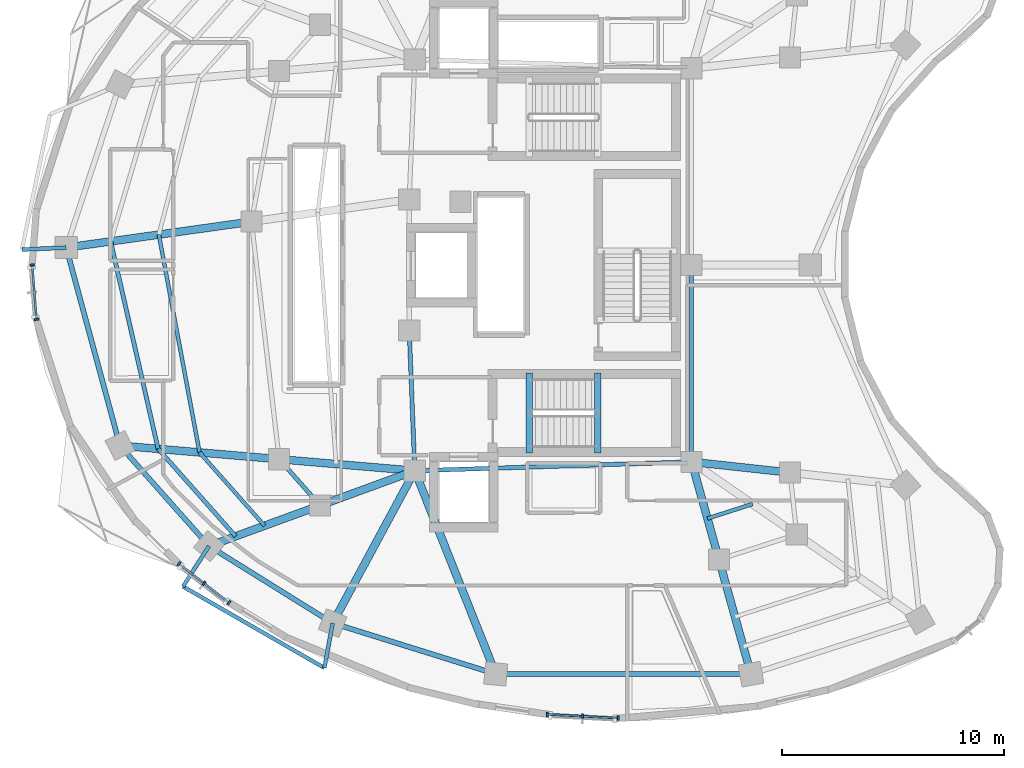
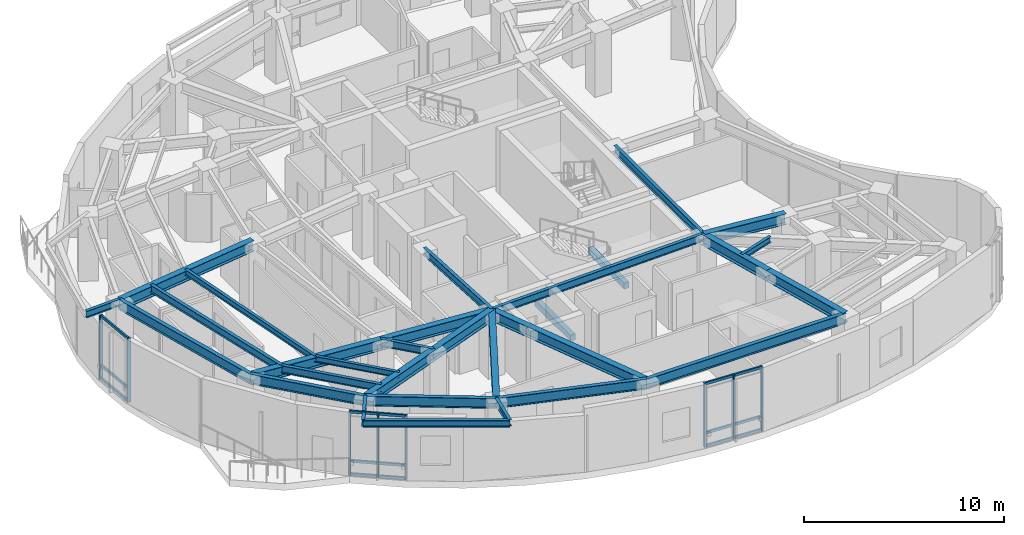
# One storey, part 2 of 13: 30 beams, 23 members, 3 elements without a shape of their own.
"""IFC4 building model written with IfcOpenShell, lengths in metres."""

import ifcopenshell
import ifcopenshell.guid

model = None  # the IFC model being written
_history = None  # IfcOwnerHistory: only IFC2X3 demands one
_inside = {}  # id of a spatial element -> (the spatial element, [elements in it])
_under = {}  # id of a project, library or spatial element -> (it, [spatial elements below it])
_declared = {}  # id of a project -> (the project, [libraries it declares])
_typed = {}  # id of a type object -> (the type object, [elements of that type])
_made_of = {}  # id of a material, layer set ... -> (it, [elements and type objects made of it])


def new_model(schema):
    """Start an empty IFC model of exactly this schema.

    Asked for "IFC4X3", IfcOpenShell would pick the latest addendum, in which some entities
    have other attributes; the version numbers below select the first issue.
    IFC2X3 requires an IfcOwnerHistory on every rooted entity: one is made here for all.
    """
    global model, _history
    if schema == "IFC4X3":
        model = ifcopenshell.file(schema_version=(4, 3, 0, 0))
    else:
        model = ifcopenshell.file(schema=schema)
    _inside.clear()
    _under.clear()
    _declared.clear()
    _typed.clear()
    _made_of.clear()
    _history = None
    if model.schema == "IFC2X3":
        org = make("IfcOrganization", Name="unknown")
        user = make(
            "IfcPersonAndOrganization",
            ThePerson=make("IfcPerson", FamilyName="unknown"),
            TheOrganization=org,
        )
        app = make(
            "IfcApplication",
            ApplicationDeveloper=org,
            Version="unknown",
            ApplicationFullName="unknown",
            ApplicationIdentifier="unknown",
        )
        _history = make(
            "IfcOwnerHistory",
            OwningUser=user,
            OwningApplication=app,
            ChangeAction="ADDED",
            CreationDate=0,
        )
    return model


def make(cls, **values):
    """One entity of the class cls with the attributes given. An attribute that is None is left unset."""
    return model.create_entity(
        cls, **{name: value for name, value in values.items() if value is not None}
    )


def rooted(cls, **values):
    """An entity with a GlobalId (a new one), such as an element, a storey or a relation."""
    return make(cls, GlobalId=ifcopenshell.guid.new(), OwnerHistory=_history, **values)


def si_unit(unit_type, name, prefix=None):
    """IfcSIUnit, for example si_unit("LENGTHUNIT", "METRE", prefix="MILLI")."""
    return make("IfcSIUnit", UnitType=unit_type, Prefix=prefix, Name=name)


def assignment(units):
    """IfcUnitAssignment: the units of a project."""
    return None if units is None else make("IfcUnitAssignment", Units=units)


def point(xyz):
    """IfcCartesianPoint."""
    return None if xyz is None else make("IfcCartesianPoint", Coordinates=xyz)


def direction(xyz):
    """IfcDirection."""
    return None if xyz is None else make("IfcDirection", DirectionRatios=xyz)


def frame(location, z_axis=None, x_axis=None):
    """IfcAxis2Placement3D, a coordinate frame: its origin and axes. An axis left out is left unset."""
    return make(
        "IfcAxis2Placement3D",
        Location=point(location),
        Axis=direction(z_axis),
        RefDirection=direction(x_axis),
    )


def frame_2d(location, x_axis=None):
    """IfcAxis2Placement2D, a coordinate frame in the plane: its origin and x axis."""
    return make(
        "IfcAxis2Placement2D", Location=point(location), RefDirection=direction(x_axis)
    )


def origin():
    """The frame at (0, 0, 0) with its axes left unset."""
    return frame((0.0, 0.0, 0.0))


def origin_2d():
    """The frame at (0, 0) in the plane with its x axis left unset."""
    return frame_2d((0.0, 0.0))


def place(relative_to, where):
    """IfcLocalPlacement: puts the frame where relative to a parent placement (None: the world)."""
    return make(
        "IfcLocalPlacement", PlacementRelTo=relative_to, RelativePlacement=where
    )


def context(
    kind, dimensions, precision=None, world=None, true_north=None, identifier=None
):
    """IfcGeometricRepresentationContext, for example the 3D "Model" context."""
    return make(
        "IfcGeometricRepresentationContext",
        ContextIdentifier=identifier,
        ContextType=kind,
        CoordinateSpaceDimension=dimensions,
        Precision=precision,
        WorldCoordinateSystem=world,
        TrueNorth=true_north,
    )


def subcontext(parent, identifier, kind, view, scale=None):
    """IfcGeometricRepresentationSubContext, for example "Body" below "Model"."""
    return make(
        "IfcGeometricRepresentationSubContext",
        ContextIdentifier=identifier,
        ContextType=kind,
        ParentContext=parent,
        TargetScale=scale,
        TargetView=view,
    )


def project(units=None, contexts=None):
    """IfcProject with its units and contexts."""
    return rooted(
        "IfcProject",
        Name="project",
        RepresentationContexts=contexts,
        UnitsInContext=assignment(units),
    )


def spatial(cls, under=None, at=None, **own):
    """A site, building, storey or space (cls), placed at a placement, below another one or the project."""
    s = rooted(cls, ObjectPlacement=at, **own)
    if under is not None:
        _under.setdefault(under.id(), (under, []))[1].append(s)
    return s


def profile(cls, at=None, kind="AREA", **sizes):
    """A parametric profile (cls). Its sizes go by their IFC names, for example OverallWidth=200.0."""
    return make(cls, ProfileType=kind, Position=at, **sizes)


def rectangle(**sizes):
    """IfcRectangleProfileDef."""
    return profile("IfcRectangleProfileDef", **sizes)


def i_section(**sizes):
    """IfcIShapeProfileDef."""
    return profile("IfcIShapeProfileDef", **sizes)


def extrude(swept, where, along, depth):
    """IfcExtrudedAreaSolid: the profile swept, set in the frame where, extruded along a direction by depth."""
    return make(
        "IfcExtrudedAreaSolid",
        SweptArea=swept,
        Position=where,
        ExtrudedDirection=direction(along),
        Depth=depth,
    )


def shape(context_of_items, identifier, shape_type, items):
    """IfcShapeRepresentation: the items that make up one representation, for example the "Body"."""
    return make(
        "IfcShapeRepresentation",
        ContextOfItems=context_of_items,
        RepresentationIdentifier=identifier,
        RepresentationType=shape_type,
        Items=items,
    )


def material(Name=None, Category=None):
    """IfcMaterial."""
    return make("IfcMaterial", Name=Name, Category=Category)


def layer(
    of_material, thickness, ventilated=None, Name=None, Category=None, Priority=None
):
    """IfcMaterialLayer: one layer of a wall or slab, of a material (None: an air gap)."""
    return make(
        "IfcMaterialLayer",
        Material=of_material,
        LayerThickness=thickness,
        IsVentilated=ventilated,
        Name=Name,
        Category=Category,
        Priority=Priority,
    )


def layer_set(layers, Name=None):
    """IfcMaterialLayerSet."""
    return make("IfcMaterialLayerSet", MaterialLayers=layers, LayerSetName=Name)


def material_profile(
    of_material, cross_section, Name=None, Category=None, Priority=None
):
    """IfcMaterialProfile: a cross section and its material."""
    return make(
        "IfcMaterialProfile",
        Name=Name,
        Material=of_material,
        Profile=cross_section,
        Priority=Priority,
        Category=Category,
    )


def profile_set(profiles, Name=None, composite=None):
    """IfcMaterialProfileSet."""
    return make(
        "IfcMaterialProfileSet",
        Name=Name,
        MaterialProfiles=profiles,
        CompositeProfile=composite,
    )


def made_of(thing, what):
    """Note that an element or type object is made of a material, layer set ...; save() writes the relation."""
    if what is not None:
        _made_of.setdefault(what.id(), (what, []))[1].append(thing)
    return thing


def type_object(cls, material=None, **own):
    """A type object (cls), such as IfcWallType, which elements share."""
    return made_of(rooted(cls, **own), material)


def element(
    cls,
    number,
    at=None,
    inside=None,
    cuts=None,
    type_object=None,
    material=None,
    context=None,
    identifier="Body",
    shape_type=None,
    held_by="IfcProductDefinitionShape",
    body=None,
    shapes=None,
    **own,
):
    """One element of the class cls, such as IfcWall. Its Tag is "e" and its number.

    at: its placement. inside: the storey or other place that contains it. cuts: it is an
    opening in that element (IfcRelVoidsElement). A single representation is given by context,
    identifier, shape_type and body (its items); several are given by shapes. held_by: the class
    of the entity that holds the representations. save() writes the other relations.
    """
    e = rooted(cls, Tag="e%d" % number, ObjectPlacement=at, **own)
    if body is not None:
        shapes = [shape(context, identifier, shape_type, body)]
    if shapes is not None:
        e.Representation = make(held_by, Representations=shapes)
    if inside is not None:
        _inside.setdefault(inside.id(), (inside, []))[1].append(e)
    if cuts is not None:
        rooted(
            "IfcRelVoidsElement", RelatingBuildingElement=cuts, RelatedOpeningElement=e
        )
    if type_object is not None:
        _typed.setdefault(type_object.id(), (type_object, []))[1].append(e)
    return made_of(e, material)


def aggregate(whole, parts):
    """IfcRelAggregates: a whole, such as a stair, and the parts it consists of."""
    return rooted("IfcRelAggregates", RelatingObject=whole, RelatedObjects=parts)


def save(model, path):
    """Write the relations noted so far, then the file.

    IfcRelAggregates (storeys below a building ...), IfcRelContainedInSpatialStructure (elements
    in a storey), IfcRelDefinesByType, IfcRelAssociatesMaterial and IfcRelDeclares: one each for
    every whole, place, type object, material and project.
    """
    for whole, parts in _under.values():
        aggregate(whole, parts)
    for where, things in _inside.values():
        rooted(
            "IfcRelContainedInSpatialStructure",
            RelatedElements=things,
            RelatingStructure=where,
        )
    for kind, things in _typed.values():
        rooted("IfcRelDefinesByType", RelatedObjects=things, RelatingType=kind)
    for what, things in _made_of.values():
        rooted("IfcRelAssociatesMaterial", RelatedObjects=things, RelatingMaterial=what)
    for by, libraries in _declared.values():
        rooted("IfcRelDeclares", RelatingContext=by, RelatedDefinitions=libraries)
    model.write(path)


model = new_model("IFC4")

# Units and contexts
model_context = context("Model", 3, precision=1e-05, world=origin(), true_north=direction((0.0, 1.0)))
body_context = subcontext(model_context, "Body", "Model", "MODEL_VIEW")
ifc_project = project(units=[si_unit("LENGTHUNIT", "METRE"), si_unit("AREAUNIT", "SQUARE_METRE"), si_unit("VOLUMEUNIT", "CUBIC_METRE"), si_unit("PLANEANGLEUNIT", "RADIAN"), si_unit("MASSUNIT", "GRAM", prefix="KILO")], contexts=[model_context])

# Site, building, storey
site_placement = place(None, origin())
site = spatial("IfcSite", under=ifc_project, at=site_placement, CompositionType="ELEMENT")
building_placement = place(site_placement, origin())
building = spatial("IfcBuilding", under=site, at=building_placement, Name="Korentha Bioscience Tower", CompositionType="ELEMENT")
storey_placement = place(building_placement, frame((0.0, 0.0, 166.800048828125)))
storey = spatial("IfcBuildingStorey", under=building, at=storey_placement, Name="L38", CompositionType="ELEMENT", Elevation=166.800048828125)

# Beams
ifc_material_1 = material(Name="Concrete C50", Category="concrete")
ifc_material_profile_1 = material_profile(ifc_material_1, rectangle(XDim=0.280029296875, YDim=0.3798828125, at=origin_2d()), Name="Concrete C50")
ifc_profile_set_1 = profile_set([ifc_material_profile_1], Name="Concrete C50 (ST-HB380)")
beam_type_1 = type_object("IfcBeamType", Name="Concrete Stair Header Beam RC 280x380", PredefinedType="BEAM", material=ifc_profile_set_1)
for number, where, z_axis, x_axis, name in (
    (1, (30.25, 18.550048828125, -0.18994140625), (0.0, 1.0, 0.0), (-1.0, 0.0, 0.0), "L38 ST-2 Concrete Stair Header Beam"),
    (2, (33.330078125, 18.550048828125, 1.909912109375), (0.0, 1.0, 0.0), (-1.0, 0.0, 0.0), "L38 ST-2 Half-Landing Header Beam 1"),
):
    element("IfcBeam", number, at=place(storey_placement, frame(where, z_axis=z_axis, x_axis=x_axis)), inside=storey, type_object=beam_type_1, Name=name, PredefinedType="BEAM", context=body_context, shape_type="SweptSolid", body=[
        extrude(rectangle(XDim=0.280029296875, YDim=0.3798828125, at=origin_2d()), origin(), (0.0, 0.0, 1.0), 3.599853515625),
    ])
ifc_material_2 = material(Name="Steel S355", Category="steel")
ifc_material_profile_2 = material_profile(ifc_material_2, i_section(OverallWidth=0.18994140625, OverallDepth=0.45703125, WebThickness=0.009033203125, FlangeThickness=0.014404296875, at=origin_2d()), Name="Steel S355")
ifc_profile_set_2 = profile_set([ifc_material_profile_2], Name="Steel S355 (MB-460)")
beam_type_2 = type_object("IfcBeamType", Name="Mid-Ring Tie Girder W460x74", PredefinedType="BEAM", material=ifc_profile_set_2)
beam_1_placement = place(storey_placement, frame((18.99951171875, 18.27001953125, 3.67138671875), z_axis=(0.663512238321, -0.748165429299, 0.0), x_axis=(0.748165429299, 0.663512238321, 0.0)))
element("IfcBeam", 3, at=beam_1_placement, inside=storey, type_object=beam_type_2, Name="L38 Mid-Ring Tie Girder 08", PredefinedType="BEAM", context=body_context, shape_type="SweptSolid", body=[
    extrude(i_section(OverallWidth=0.18994140625, OverallDepth=0.45703125, WebThickness=0.009033203125, FlangeThickness=0.014404296875, at=origin_2d()), origin(), (0.0, 0.0, 1.0), 2.77734375),
])
beam_2_placement = place(storey_placement, frame((24.85009765625, 24.050048828125, 3.67138671875), z_axis=(0.039651025576, -0.999213588864, 0.0), x_axis=(0.999213588864, 0.039651025576, 0.0)))
element("IfcBeam", 4, at=beam_2_placement, inside=storey, type_object=beam_type_2, Name="L38 Core Ring Tie Girder 04", PredefinedType="BEAM", context=body_context, shape_type="SweptSolid", body=[
    extrude(i_section(OverallWidth=0.18994140625, OverallDepth=0.45703125, WebThickness=0.009033203125, FlangeThickness=0.014404296875, at=origin_2d()), origin(), (0.0, 0.0, 1.0), 6.304931640625),
])
beam_3_placement = place(storey_placement, frame((25.10009765625, 17.75, 3.67138671875), z_axis=(0.999484526071, 0.032104238723, 0.0), x_axis=(-0.032104238723, 0.999484526071, 0.0)))
element("IfcBeam", 5, at=beam_3_placement, inside=storey, type_object=beam_type_2, Name="L38 Core Ring Tie Girder 05", PredefinedType="BEAM", context=body_context, shape_type="SweptSolid", body=[
    extrude(i_section(OverallWidth=0.18994140625, OverallDepth=0.45703125, WebThickness=0.009033203125, FlangeThickness=0.014404296875, at=origin_2d()), origin(), (0.0, 0.0, 1.0), 12.456298828125),
])
beam_4_placement = place(storey_placement, frame((37.550048828125, 18.14990234375, 3.67138671875), z_axis=(0.0, 1.0, 0.0), x_axis=(-1.0, 0.0, 0.0)))
element("IfcBeam", 6, at=beam_4_placement, inside=storey, type_object=beam_type_2, Name="L38 Core Ring Tie Girder 06", PredefinedType="BEAM", context=body_context, shape_type="SweptSolid", body=[
    extrude(i_section(OverallWidth=0.18994140625, OverallDepth=0.45703125, WebThickness=0.009033203125, FlangeThickness=0.014404296875, at=origin_2d()), origin(), (0.0, 0.0, 1.0), 8.85009765625),
])

# Curtain wall, members
ifc_material_3 = material(Name="Thermally Broken Aluminium Frame", Category="aluminium")
ifc_layer = layer(ifc_material_3, 0.219970703125, Name="Thermally Broken Aluminium Frame")
ifc_layer_set = layer_set([ifc_layer], Name="Thermally Broken Aluminium Frame (CW-T2)")
curtain_wall_type = type_object("IfcCurtainWallType", Name="Solar-Screened Lab Unitised Curtain Wall CW-T2", PredefinedType="USERDEFINED", material=ifc_layer_set)
curtain_wall_1_placement = place(storey_placement, origin())
curtain_wall_1 = element("IfcCurtainWall", 7, at=curtain_wall_1_placement, inside=storey, type_object=curtain_wall_type, Name="L38 Curtain Wall 19", ObjectType="UNITISED", PredefinedType="USERDEFINED")
ifc_material_4 = material(Name="Anodised Aluminium 6063-T6", Category="aluminium")
ifc_material_profile_3 = material_profile(ifc_material_4, rectangle(XDim=0.090087890625, YDim=0.199951171875, at=origin_2d()), Name="Anodised Aluminium 6063-T6")
ifc_profile_set_3 = profile_set([ifc_material_profile_3], Name="Anodised Aluminium 6063-T6 (CW-MUL)")
member_type_1 = type_object("IfcMemberType", Name="Mullion RECT 90x200", PredefinedType="MULLION", material=ifc_profile_set_3)
member_1_placement = place(storey_placement, frame((7.89599609375, 27.007568359375, 0.0), z_axis=(0.0, 0.0, 1.0), x_axis=(0.078030772566, -0.996950950916, 0.0)))
member_1 = element("IfcMember", 8, at=member_1_placement, type_object=member_type_1, Name="CW-L38-19 Mullion 1", PredefinedType="MULLION", context=body_context, shape_type="SweptSolid", body=[
    extrude(rectangle(XDim=0.090087890625, YDim=0.199951171875, at=origin_2d()), origin(), (0.0, 0.0, 1.0), 3.89990234375),
])
member_2_placement = place(storey_placement, frame((8.087890625, 24.5546875, 0.0), z_axis=(0.0, 0.0, 1.0), x_axis=(0.078030772566, -0.996950950916, 0.0)))
member_2 = element("IfcMember", 9, at=member_2_placement, type_object=member_type_1, Name="CW-L38-19 Mullion 2", PredefinedType="MULLION", context=body_context, shape_type="SweptSolid", body=[
    extrude(rectangle(XDim=0.090087890625, YDim=0.199951171875, at=origin_2d()), origin(), (0.0, 0.0, 1.0), 3.89990234375),
])

curtain_wall_2_placement = place(storey_placement, origin())
curtain_wall_2 = element("IfcCurtainWall", 10, at=curtain_wall_2_placement, inside=storey, type_object=curtain_wall_type, Name="L38 Curtain Wall 25", ObjectType="UNITISED", PredefinedType="USERDEFINED")
member_3_placement = place(storey_placement, frame((14.492431640625, 13.563232421875, 0.0), z_axis=(0.0, 0.0, 1.0), x_axis=(0.790546796919, -0.612401634454, 0.0)))
member_3 = element("IfcMember", 11, at=member_3_placement, type_object=member_type_1, Name="CW-L38-25 Mullion 1", PredefinedType="MULLION", context=body_context, shape_type="SweptSolid", body=[
    extrude(rectangle(XDim=0.090087890625, YDim=0.199951171875, at=origin_2d()), origin(), (0.0, 0.0, 1.0), 3.89990234375),
])
member_4_placement = place(storey_placement, frame((15.618896484375, 12.690673828125, 0.0), z_axis=(0.0, 0.0, 1.0), x_axis=(0.790546796919, -0.612401634454, 0.0)))
member_4 = element("IfcMember", 12, at=member_4_placement, type_object=member_type_1, Name="CW-L38-25 Mullion 2", PredefinedType="MULLION", context=body_context, shape_type="SweptSolid", body=[
    extrude(rectangle(XDim=0.090087890625, YDim=0.199951171875, at=origin_2d()), origin(), (0.0, 0.0, 1.0), 3.89990234375),
])
member_5_placement = place(storey_placement, frame((16.745361328125, 11.818115234375, 0.0), z_axis=(0.0, 0.0, 1.0), x_axis=(0.790546796919, -0.612401634454, 0.0)))
member_5 = element("IfcMember", 13, at=member_5_placement, type_object=member_type_1, Name="CW-L38-25 Mullion 3", PredefinedType="MULLION", context=body_context, shape_type="SweptSolid", body=[
    extrude(rectangle(XDim=0.090087890625, YDim=0.199951171875, at=origin_2d()), origin(), (0.0, 0.0, 1.0), 3.89990234375),
])

curtain_wall_3_placement = place(storey_placement, origin())
curtain_wall_3 = element("IfcCurtainWall", 14, at=curtain_wall_3_placement, inside=storey, type_object=curtain_wall_type, Name="L38 Curtain Wall 31", ObjectType="UNITISED", PredefinedType="USERDEFINED")
member_6_placement = place(storey_placement, frame((31.0517578125, 6.79541015625, 0.0), z_axis=(0.0, 0.0, 1.0), x_axis=(0.998637677307, -0.052180355139, 0.0)))
member_6 = element("IfcMember", 15, at=member_6_placement, type_object=member_type_1, Name="CW-L38-31 Mullion 1", PredefinedType="MULLION", context=body_context, shape_type="SweptSolid", body=[
    extrude(rectangle(XDim=0.090087890625, YDim=0.199951171875, at=origin_2d()), origin(), (0.0, 0.0, 1.0), 3.89990234375),
])
member_7_placement = place(storey_placement, frame((32.64794921875, 6.7119140625, 0.0), z_axis=(0.0, 0.0, 1.0), x_axis=(0.998637677307, -0.052180355139, 0.0)))
member_7 = element("IfcMember", 16, at=member_7_placement, type_object=member_type_1, Name="CW-L38-31 Mullion 2", PredefinedType="MULLION", context=body_context, shape_type="SweptSolid", body=[
    extrude(rectangle(XDim=0.090087890625, YDim=0.199951171875, at=origin_2d()), origin(), (0.0, 0.0, 1.0), 3.89990234375),
])
member_8_placement = place(storey_placement, frame((34.244140625, 6.628662109375, 0.0), z_axis=(0.0, 0.0, 1.0), x_axis=(0.998637677307, -0.052180355139, 0.0)))
member_8 = element("IfcMember", 17, at=member_8_placement, type_object=member_type_1, Name="CW-L38-31 Mullion 3", PredefinedType="MULLION", context=body_context, shape_type="SweptSolid", body=[
    extrude(rectangle(XDim=0.090087890625, YDim=0.199951171875, at=origin_2d()), origin(), (0.0, 0.0, 1.0), 3.89990234375),
])

# Beams
ifc_material_profile_4 = material_profile(ifc_material_2, i_section(OverallWidth=0.22802734375, OverallDepth=0.60791015625, WebThickness=0.01123046875, FlangeThickness=0.017333984375, at=origin_2d()), Name="Steel S355")
ifc_profile_set_4 = profile_set([ifc_material_profile_4], Name="Steel S355 (SB-610)")
beam_type_3 = type_object("IfcBeamType", Name="Perimeter Ring Spandrel Girder W610x113", PredefinedType="SPANDREL", material=ifc_profile_set_4)
beam_5_placement = place(storey_placement, frame((9.422607421875, 27.785888671875, 3.595947265625), z_axis=(0.261762629829, -0.965132284003, 0.0), x_axis=(0.965132284003, 0.261762629829, 0.0)))
element("IfcBeam", 18, at=beam_5_placement, inside=storey, type_object=beam_type_3, Name="L38 Perimeter Spandrel Girder 07", PredefinedType="SPANDREL", context=body_context, shape_type="SweptSolid", body=[
    extrude(i_section(OverallWidth=0.22802734375, OverallDepth=0.60791015625, WebThickness=0.01123046875, FlangeThickness=0.017333984375, at=origin_2d()), origin(), (0.0, 0.0, 1.0), 9.22705078125),
])
beam_6_placement = place(storey_placement, frame((11.837890625, 18.880615234375, 3.595947265625), z_axis=(0.663502544942, -0.748174025782, 0.0), x_axis=(0.748174025782, 0.663502544942, 0.0)))
element("IfcBeam", 19, at=beam_6_placement, inside=storey, type_object=beam_type_3, Name="L38 Perimeter Spandrel Girder 08", PredefinedType="SPANDREL", context=body_context, shape_type="SweptSolid", body=[
    extrude(i_section(OverallWidth=0.22802734375, OverallDepth=0.60791015625, WebThickness=0.01123046875, FlangeThickness=0.017333984375, at=origin_2d()), origin(), (0.0, 0.0, 1.0), 6.037841796875),
])
beam_7_placement = place(storey_placement, frame((15.843994140625, 14.36328125, 3.595947265625), z_axis=(0.848675740059, -0.528913497876, 0.0), x_axis=(0.528913497876, 0.848675740059, 0.0)))
element("IfcBeam", 20, at=beam_7_placement, inside=storey, type_object=beam_type_3, Name="L38 Perimeter Spandrel Girder 09", PredefinedType="SPANDREL", context=body_context, shape_type="SweptSolid", body=[
    extrude(i_section(OverallWidth=0.22802734375, OverallDepth=0.60791015625, WebThickness=0.01123046875, FlangeThickness=0.017333984375, at=origin_2d()), origin(), (0.0, 0.0, 1.0), 6.55322265625),
])
beam_8_placement = place(storey_placement, frame((21.405517578125, 10.897216796875, 3.595947265625), z_axis=(0.954638172607, -0.29776829818, 0.0), x_axis=(0.29776829818, 0.954638172607, 0.0)))
element("IfcBeam", 21, at=beam_8_placement, inside=storey, type_object=beam_type_3, Name="L38 Perimeter Spandrel Girder 10", PredefinedType="SPANDREL", context=body_context, shape_type="SweptSolid", body=[
    extrude(i_section(OverallWidth=0.22802734375, OverallDepth=0.60791015625, WebThickness=0.01123046875, FlangeThickness=0.017333984375, at=origin_2d()), origin(), (0.0, 0.0, 1.0), 7.682373046875),
])
beam_9_placement = place(storey_placement, frame((28.739501953125, 8.609619140625, 3.595947265625), z_axis=(0.99999988041, -0.000489059883, 0.0), x_axis=(0.000489059883, 0.99999988041, 0.0)))
element("IfcBeam", 22, at=beam_9_placement, inside=storey, type_object=beam_type_3, Name="L38 Perimeter Spandrel Girder 11", PredefinedType="SPANDREL", context=body_context, shape_type="SweptSolid", body=[
    extrude(i_section(OverallWidth=0.22802734375, OverallDepth=0.60791015625, WebThickness=0.01123046875, FlangeThickness=0.017333984375, at=origin_2d()), origin(), (0.0, 0.0, 1.0), 11.481689453125),
])
ifc_material_profile_5 = material_profile(ifc_material_2, i_section(OverallWidth=0.18994140625, OverallDepth=0.45703125, WebThickness=0.009033203125, FlangeThickness=0.014404296875, at=origin_2d()), Name="Steel S355")
ifc_profile_set_5 = profile_set([ifc_material_profile_5], Name="Steel S355 (RB-460)")
beam_type_4 = type_object("IfcBeamType", Name="Radial Laboratory Beam W460x74", PredefinedType="BEAM", material=ifc_profile_set_5)
beam_10_placement = place(storey_placement, frame((11.421875, 28.06640625, 3.67138671875), z_axis=(0.222990987745, -0.974820506239, 0.0), x_axis=(0.974820506239, 0.222990987745, 0.0)))
element("IfcBeam", 23, at=beam_10_placement, inside=storey, type_object=beam_type_4, Name="L38 Secondary Floor Beam JSTO-07", PredefinedType="BEAM", context=body_context, shape_type="SweptSolid", body=[
    extrude(i_section(OverallWidth=0.18994140625, OverallDepth=0.45703125, WebThickness=0.009033203125, FlangeThickness=0.014404296875, at=origin_2d()), origin(), (0.0, 0.0, 1.0), 9.5732421875),
])
beam_11_placement = place(storey_placement, frame((13.556640625, 18.734130859375, 3.67138671875), z_axis=(0.663495511182, -0.748180263467, 0.0), x_axis=(0.748180263467, 0.663495511182, 0.0)))
element("IfcBeam", 24, at=beam_11_placement, inside=storey, type_object=beam_type_4, Name="L38 Secondary Floor Beam JSTO-08", PredefinedType="BEAM", context=body_context, shape_type="SweptSolid", body=[
    extrude(i_section(OverallWidth=0.18994140625, OverallDepth=0.45703125, WebThickness=0.009033203125, FlangeThickness=0.014404296875, at=origin_2d()), origin(), (0.0, 0.0, 1.0), 5.255615234375),
])
ifc_material_profile_6 = material_profile(ifc_material_2, i_section(OverallWidth=0.35009765625, OverallDepth=0.64990234375, WebThickness=0.01611328125, FlangeThickness=0.02490234375, at=origin_2d()), Name="Steel S355")
ifc_profile_set_6 = profile_set([ifc_material_profile_6], Name="Steel S355 (RB-650)")
beam_type_5 = type_object("IfcBeamType", Name="Radial Laboratory Girder CVS 650x208", PredefinedType="BEAM", material=ifc_profile_set_6)
beam_12_placement = place(storey_placement, frame((17.75341796875, 28.95458984375, 3.574951171875), z_axis=(-0.990302735089, -0.138926213782, 0.0), x_axis=(0.138926213782, -0.990302735089, 0.0)))
element("IfcBeam", 25, at=beam_12_placement, inside=storey, type_object=beam_type_5, Name="L38 Outer Radial Girder 07", PredefinedType="BEAM", context=body_context, shape_type="SweptSolid", body=[
    extrude(i_section(OverallWidth=0.35009765625, OverallDepth=0.64990234375, WebThickness=0.01611328125, FlangeThickness=0.02490234375, at=origin_2d()), origin(), (0.0, 0.0, 1.0), 8.412353515625),
])
beam_13_placement = place(storey_placement, frame((25.10009765625, 17.75, 3.574951171875), z_axis=(-0.996386672138, 0.084932912264, 0.0), x_axis=(-0.084932912264, -0.996386672138, 0.0)))
element("IfcBeam", 26, at=beam_13_placement, inside=storey, type_object=beam_type_5, Name="L38 Inner Radial Girder 08", PredefinedType="BEAM", context=body_context, shape_type="SweptSolid", body=[
    extrude(i_section(OverallWidth=0.35009765625, OverallDepth=0.64990234375, WebThickness=0.01611328125, FlangeThickness=0.02490234375, at=origin_2d()), origin(), (0.0, 0.0, 1.0), 6.122802734375),
])
beam_14_placement = place(storey_placement, frame((18.99951171875, 18.27001953125, 3.574951171875), z_axis=(-0.996385111181, 0.084951222577, 0.0), x_axis=(-0.084951222577, -0.996385111181, 0.0)))
element("IfcBeam", 27, at=beam_14_placement, inside=storey, type_object=beam_type_5, Name="L38 Outer Radial Girder 08", PredefinedType="BEAM", context=body_context, shape_type="SweptSolid", body=[
    extrude(i_section(OverallWidth=0.35009765625, OverallDepth=0.64990234375, WebThickness=0.01611328125, FlangeThickness=0.02490234375, at=origin_2d()), origin(), (0.0, 0.0, 1.0), 7.1875),
])
beam_15_placement = place(storey_placement, frame((25.10009765625, 17.75, 3.574951171875), z_axis=(-0.939113952431, -0.343605856105, 0.0), x_axis=(0.343605856105, -0.939113952431, 0.0)))
element("IfcBeam", 28, at=beam_15_placement, inside=storey, type_object=beam_type_5, Name="L38 Inner Radial Girder 09", PredefinedType="BEAM", context=body_context, shape_type="SweptSolid", body=[
    extrude(i_section(OverallWidth=0.35009765625, OverallDepth=0.64990234375, WebThickness=0.01611328125, FlangeThickness=0.02490234375, at=origin_2d()), origin(), (0.0, 0.0, 1.0), 4.533935546875),
])
beam_16_placement = place(storey_placement, frame((20.84228515625, 16.192138671875, 3.574951171875), z_axis=(-0.939109855566, -0.343617053097, 0.0), x_axis=(0.343617053097, -0.939109855566, 0.0)))
element("IfcBeam", 29, at=beam_16_placement, inside=storey, type_object=beam_type_5, Name="L38 Outer Radial Girder 09", PredefinedType="BEAM", context=body_context, shape_type="SweptSolid", body=[
    extrude(i_section(OverallWidth=0.35009765625, OverallDepth=0.64990234375, WebThickness=0.01611328125, FlangeThickness=0.02490234375, at=origin_2d()), origin(), (0.0, 0.0, 1.0), 5.322265625),
])
beam_17_placement = place(storey_placement, frame((25.10009765625, 17.75, 3.574951171875), z_axis=(-0.474559790141, -0.880223270302, 0.0), x_axis=(0.880223270302, -0.474559790141, 0.0)))
element("IfcBeam", 30, at=beam_17_placement, inside=storey, type_object=beam_type_5, Name="L38 Radial Girder 10", PredefinedType="BEAM", context=body_context, shape_type="SweptSolid", body=[
    extrude(i_section(OverallWidth=0.35009765625, OverallDepth=0.64990234375, WebThickness=0.01611328125, FlangeThickness=0.02490234375, at=origin_2d()), origin(), (0.0, 0.0, 1.0), 7.785400390625),
])
beam_18_placement = place(storey_placement, frame((25.10009765625, 17.75, 3.574951171875), z_axis=(0.369922682955, -0.929062542909, 0.0), x_axis=(0.929062542909, 0.369922682955, 0.0)))
element("IfcBeam", 31, at=beam_18_placement, inside=storey, type_object=beam_type_5, Name="L38 Radial Girder 11", PredefinedType="BEAM", context=body_context, shape_type="SweptSolid", body=[
    extrude(i_section(OverallWidth=0.35009765625, OverallDepth=0.64990234375, WebThickness=0.01611328125, FlangeThickness=0.02490234375, at=origin_2d()), origin(), (0.0, 0.0, 1.0), 9.83837890625),
])
beam_19_placement = place(storey_placement, frame((37.550048828125, 18.14990234375, 3.574951171875), z_axis=(0.269477001654, -0.963006825303, 0.0), x_axis=(0.963006825303, 0.269477001654, 0.0)))
element("IfcBeam", 32, at=beam_19_placement, inside=storey, type_object=beam_type_5, Name="L38 Inner Radial Girder 12", PredefinedType="BEAM", context=body_context, shape_type="SweptSolid", body=[
    extrude(i_section(OverallWidth=0.35009765625, OverallDepth=0.64990234375, WebThickness=0.01611328125, FlangeThickness=0.02490234375, at=origin_2d()), origin(), (0.0, 0.0, 1.0), 4.559814453125),
])
beam_20_placement = place(storey_placement, frame((38.77880859375, 13.7587890625, 3.574951171875), z_axis=(0.269464128344, -0.963010427532, 0.0), x_axis=(0.963010427532, 0.269464128344, 0.0)))
element("IfcBeam", 33, at=beam_20_placement, inside=storey, type_object=beam_type_5, Name="L38 Outer Radial Girder 12", PredefinedType="BEAM", context=body_context, shape_type="SweptSolid", body=[
    extrude(i_section(OverallWidth=0.35009765625, OverallDepth=0.64990234375, WebThickness=0.01611328125, FlangeThickness=0.02490234375, at=origin_2d()), origin(), (0.0, 0.0, 1.0), 5.352783203125),
])
beam_21_placement = place(storey_placement, frame((37.550048828125, 18.14990234375, 3.574951171875), z_axis=(0.994118939953, -0.108293735857, 0.0), x_axis=(0.108293735857, 0.994118939953, 0.0)))
element("IfcBeam", 34, at=beam_21_placement, inside=storey, type_object=beam_type_5, Name="L38 Inner Radial Girder 14", PredefinedType="BEAM", context=body_context, shape_type="SweptSolid", body=[
    extrude(i_section(OverallWidth=0.35009765625, OverallDepth=0.64990234375, WebThickness=0.01611328125, FlangeThickness=0.02490234375, at=origin_2d()), origin(), (0.0, 0.0, 1.0), 4.4501953125),
])
ifc_material_profile_7 = material_profile(ifc_material_2, i_section(OverallWidth=0.1708984375, OverallDepth=0.35498046875, WebThickness=0.007080078125, FlangeThickness=0.01171875, at=origin_2d()), Name="Steel S355")
ifc_profile_set_7 = profile_set([ifc_material_profile_7], Name="Steel S355 (JB-360)")
beam_type_6 = type_object("IfcBeamType", Name="Secondary Laboratory Joist W360x51", PredefinedType="JOIST", material=ifc_profile_set_7)
beam_22_placement = place(storey_placement, frame((13.587890625, 28.3701171875, 3.722412109375), z_axis=(0.183736713841, -0.982975493076, 0.0), x_axis=(0.982975493076, 0.183736713841, 0.0)))
element("IfcBeam", 35, at=beam_22_placement, inside=storey, type_object=beam_type_6, Name="L38 Secondary Floor Beam JST-07", PredefinedType="JOIST", context=body_context, shape_type="SweptSolid", body=[
    extrude(i_section(OverallWidth=0.1708984375, OverallDepth=0.35498046875, WebThickness=0.007080078125, FlangeThickness=0.01171875, at=origin_2d()), origin(), (0.0, 0.0, 1.0), 9.96435546875),
])
beam_23_placement = place(storey_placement, frame((15.418701171875, 18.575439453125, 3.722412109375), z_axis=(0.663462598754, -0.748209449322, 0.0), x_axis=(0.748209449322, 0.663462598754, 0.0)))
element("IfcBeam", 36, at=beam_23_placement, inside=storey, type_object=beam_type_6, Name="L38 Secondary Floor Beam JST-08", PredefinedType="JOIST", context=body_context, shape_type="SweptSolid", body=[
    extrude(i_section(OverallWidth=0.1708984375, OverallDepth=0.35498046875, WebThickness=0.007080078125, FlangeThickness=0.01171875, at=origin_2d()), origin(), (0.0, 0.0, 1.0), 4.40771484375),
])
beam_24_placement = place(storey_placement, frame((38.2626953125, 15.60302734375, 3.722412109375), z_axis=(0.952010669267, 0.306064838885, 0.0), x_axis=(-0.306064838885, 0.952010669267, 0.0)))
element("IfcBeam", 37, at=beam_24_placement, inside=storey, type_object=beam_type_6, Name="L38 Inner Bay Joist 12", PredefinedType="JOIST", context=body_context, shape_type="SweptSolid", body=[
    extrude(i_section(OverallWidth=0.1708984375, OverallDepth=0.35498046875, WebThickness=0.007080078125, FlangeThickness=0.01171875, at=origin_2d()), origin(), (0.0, 0.0, 1.0), 2.1298828125),
])
ifc_material_profile_8 = material_profile(ifc_material_2, i_section(OverallWidth=0.177978515625, OverallDepth=0.406982421875, WebThickness=0.0078125, FlangeThickness=0.0126953125, at=origin_2d()), Name="Steel S355")
ifc_profile_set_8 = profile_set([ifc_material_profile_8], Name="Steel S355 (CB-410)")
beam_type_7 = type_object("IfcBeamType", Name="Sun-Ledge Cantilever Beam W410x60", PredefinedType="BEAM", material=ifc_profile_set_8)
beam_25_placement = place(storey_placement, frame((9.422607421875, 27.785888671875, 3.698486328125), z_axis=(-0.999054077137, -0.043485065888, 0.0), x_axis=(0.043485065888, -0.999054077137, 0.0)))
element("IfcBeam", 38, at=beam_25_placement, inside=storey, type_object=beam_type_7, Name="L38 Balcony Cantilever Bracket B-L39-02", PredefinedType="BEAM", context=body_context, shape_type="SweptSolid", body=[
    extrude(i_section(OverallWidth=0.177978515625, OverallDepth=0.406982421875, WebThickness=0.0078125, FlangeThickness=0.0126953125, at=origin_2d()), origin(), (0.0, 0.0, 1.0), 1.9931640625),
])
beam_26_placement = place(storey_placement, frame((15.843994140625, 14.36328125, 3.698486328125), z_axis=(-0.539815865489, -0.841783126088, 0.0), x_axis=(0.841783126088, -0.539815865489, 0.0)))
element("IfcBeam", 39, at=beam_26_placement, inside=storey, type_object=beam_type_7, Name="L38 Balcony Cantilever Bracket A-L39-03", PredefinedType="BEAM", context=body_context, shape_type="SweptSolid", body=[
    extrude(i_section(OverallWidth=0.177978515625, OverallDepth=0.406982421875, WebThickness=0.0078125, FlangeThickness=0.0126953125, at=origin_2d()), origin(), (0.0, 0.0, 1.0), 2.162841796875),
])
beam_27_placement = place(storey_placement, frame((21.405517578125, 10.897216796875, 3.698486328125), z_axis=(-0.181098705445, -0.983464925092, 0.0), x_axis=(0.983464925092, -0.181098705445, 0.0)))
element("IfcBeam", 40, at=beam_27_placement, inside=storey, type_object=beam_type_7, Name="L38 Balcony Cantilever Bracket B-L39-03", PredefinedType="BEAM", context=body_context, shape_type="SweptSolid", body=[
    extrude(i_section(OverallWidth=0.177978515625, OverallDepth=0.406982421875, WebThickness=0.0078125, FlangeThickness=0.0126953125, at=origin_2d()), origin(), (0.0, 0.0, 1.0), 2.0478515625),
])
beam_28_placement = place(storey_placement, frame((14.676513671875, 12.542724609375, 3.698486328125), z_axis=(0.866700940133, -0.49882810704, 0.0), x_axis=(0.49882810704, 0.866700940133, 0.0)))
element("IfcBeam", 41, at=beam_28_placement, inside=storey, type_object=beam_type_7, Name="L38 Balcony Edge Trimmer Beam L39-03", PredefinedType="BEAM", context=body_context, shape_type="SweptSolid", body=[
    extrude(i_section(OverallWidth=0.177978515625, OverallDepth=0.406982421875, WebThickness=0.0078125, FlangeThickness=0.0126953125, at=origin_2d()), origin(), (0.0, 0.0, 1.0), 7.3359375),
])

# Member
ifc_material_profile_9 = material_profile(ifc_material_4, rectangle(XDim=0.090087890625, YDim=0.159912109375, at=origin_2d()), Name="Anodised Aluminium 6063-T6")
ifc_profile_set_9 = profile_set([ifc_material_profile_9], Name="Anodised Aluminium 6063-T6 (CW-TRN)")
member_type_2 = type_object("IfcMemberType", Name="Transom RECT 90x160", PredefinedType="USERDEFINED", material=ifc_profile_set_9)
member_9_placement = place(storey_placement, frame((7.8994140625, 26.962646484375, 0.044921875), z_axis=(0.078074822466, -0.996947502177, 0.0), x_axis=(0.996947502177, 0.078074822466, 0.0)))
member_9 = element("IfcMember", 42, at=member_9_placement, type_object=member_type_2, Name="CW-L38-19 Bay 1 Transom 1", ObjectType="TRANSOM", PredefinedType="USERDEFINED", context=body_context, shape_type="SweptSolid", body=[
    extrude(rectangle(XDim=0.090087890625, YDim=0.159912109375, at=origin_2d()), origin(), (0.0, 0.0, 1.0), 2.370361328125),
])

member_10_placement = place(storey_placement, frame((7.8994140625, 26.962646484375, 0.849853515625), z_axis=(0.078074822466, -0.996947502177, 0.0), x_axis=(0.996947502177, 0.078074822466, 0.0)))
member_10 = element("IfcMember", 43, at=member_10_placement, type_object=member_type_2, Name="CW-L38-19 Bay 1 Transom 2", ObjectType="TRANSOM", PredefinedType="USERDEFINED", context=body_context, shape_type="SweptSolid", body=[
    extrude(rectangle(XDim=0.090087890625, YDim=0.159912109375, at=origin_2d()), origin(), (0.0, 0.0, 1.0), 2.370361328125),
])

member_11_placement = place(storey_placement, frame((7.8994140625, 26.962646484375, 3.85498046875), z_axis=(0.078074822466, -0.996947502177, 0.0), x_axis=(0.996947502177, 0.078074822466, 0.0)))
member_11 = element("IfcMember", 44, at=member_11_placement, type_object=member_type_2, Name="CW-L38-19 Bay 1 Transom 3", ObjectType="TRANSOM", PredefinedType="USERDEFINED", context=body_context, shape_type="SweptSolid", body=[
    extrude(rectangle(XDim=0.090087890625, YDim=0.159912109375, at=origin_2d()), origin(), (0.0, 0.0, 1.0), 2.370361328125),
])

aggregate(curtain_wall_1, [member_1, member_2, member_9, member_10, member_11])

member_12_placement = place(storey_placement, frame((14.528076171875, 13.535888671875, 0.044921875), z_axis=(0.790463754503, -0.612508818563, 0.0), x_axis=(0.612508818563, 0.790463754503, 0.0)))
member_12 = element("IfcMember", 45, at=member_12_placement, type_object=member_type_2, Name="CW-L38-25 Bay 1 Transom 1", ObjectType="TRANSOM", PredefinedType="USERDEFINED", context=body_context, shape_type="SweptSolid", body=[
    extrude(rectangle(XDim=0.090087890625, YDim=0.159912109375, at=origin_2d()), origin(), (0.0, 0.0, 1.0), 1.3349609375),
])

member_13_placement = place(storey_placement, frame((14.528076171875, 13.535888671875, 0.849853515625), z_axis=(0.790463754503, -0.612508818563, 0.0), x_axis=(0.612508818563, 0.790463754503, 0.0)))
member_13 = element("IfcMember", 46, at=member_13_placement, type_object=member_type_2, Name="CW-L38-25 Bay 1 Transom 2", ObjectType="TRANSOM", PredefinedType="USERDEFINED", context=body_context, shape_type="SweptSolid", body=[
    extrude(rectangle(XDim=0.090087890625, YDim=0.159912109375, at=origin_2d()), origin(), (0.0, 0.0, 1.0), 1.3349609375),
])

member_14_placement = place(storey_placement, frame((14.528076171875, 13.535888671875, 3.85498046875), z_axis=(0.790463754503, -0.612508818563, 0.0), x_axis=(0.612508818563, 0.790463754503, 0.0)))
member_14 = element("IfcMember", 47, at=member_14_placement, type_object=member_type_2, Name="CW-L38-25 Bay 1 Transom 3", ObjectType="TRANSOM", PredefinedType="USERDEFINED", context=body_context, shape_type="SweptSolid", body=[
    extrude(rectangle(XDim=0.090087890625, YDim=0.159912109375, at=origin_2d()), origin(), (0.0, 0.0, 1.0), 1.3349609375),
])

member_15_placement = place(storey_placement, frame((15.654541015625, 12.6630859375, 0.044921875), z_axis=(0.79055230676, -0.612394521756, 0.0), x_axis=(0.612394521756, 0.79055230676, 0.0)))
member_15 = element("IfcMember", 48, at=member_15_placement, type_object=member_type_2, Name="CW-L38-25 Bay 2 Transom 1", ObjectType="TRANSOM", PredefinedType="USERDEFINED", context=body_context, shape_type="SweptSolid", body=[
    extrude(rectangle(XDim=0.090087890625, YDim=0.159912109375, at=origin_2d()), origin(), (0.0, 0.0, 1.0), 1.334716796875),
])

member_16_placement = place(storey_placement, frame((15.654541015625, 12.6630859375, 0.849853515625), z_axis=(0.79055230676, -0.612394521756, 0.0), x_axis=(0.612394521756, 0.79055230676, 0.0)))
member_16 = element("IfcMember", 49, at=member_16_placement, type_object=member_type_2, Name="CW-L38-25 Bay 2 Transom 2", ObjectType="TRANSOM", PredefinedType="USERDEFINED", context=body_context, shape_type="SweptSolid", body=[
    extrude(rectangle(XDim=0.090087890625, YDim=0.159912109375, at=origin_2d()), origin(), (0.0, 0.0, 1.0), 1.334716796875),
])

member_17_placement = place(storey_placement, frame((15.654541015625, 12.6630859375, 3.85498046875), z_axis=(0.79055230676, -0.612394521756, 0.0), x_axis=(0.612394521756, 0.79055230676, 0.0)))
member_17 = element("IfcMember", 50, at=member_17_placement, type_object=member_type_2, Name="CW-L38-25 Bay 2 Transom 3", ObjectType="TRANSOM", PredefinedType="USERDEFINED", context=body_context, shape_type="SweptSolid", body=[
    extrude(rectangle(XDim=0.090087890625, YDim=0.159912109375, at=origin_2d()), origin(), (0.0, 0.0, 1.0), 1.334716796875),
])

aggregate(curtain_wall_2, [member_3, member_4, member_5, member_12, member_13, member_14, member_15, member_16, member_17])

member_18_placement = place(storey_placement, frame((31.0966796875, 6.793212890625, 0.044921875), z_axis=(0.998632544532, -0.052278494633, 0.0), x_axis=(0.052278494633, 0.998632544532, 0.0)))
member_18 = element("IfcMember", 51, at=member_18_placement, type_object=member_type_2, Name="CW-L38-31 Bay 1 Transom 1", ObjectType="TRANSOM", PredefinedType="USERDEFINED", context=body_context, shape_type="SweptSolid", body=[
    extrude(rectangle(XDim=0.090087890625, YDim=0.159912109375, at=origin_2d()), origin(), (0.0, 0.0, 1.0), 1.50830078125),
])

member_19_placement = place(storey_placement, frame((31.0966796875, 6.793212890625, 0.849853515625), z_axis=(0.998632544532, -0.052278494633, 0.0), x_axis=(0.052278494633, 0.998632544532, 0.0)))
member_19 = element("IfcMember", 52, at=member_19_placement, type_object=member_type_2, Name="CW-L38-31 Bay 1 Transom 2", ObjectType="TRANSOM", PredefinedType="USERDEFINED", context=body_context, shape_type="SweptSolid", body=[
    extrude(rectangle(XDim=0.090087890625, YDim=0.159912109375, at=origin_2d()), origin(), (0.0, 0.0, 1.0), 1.50830078125),
])

member_20_placement = place(storey_placement, frame((31.0966796875, 6.793212890625, 3.85498046875), z_axis=(0.998632544532, -0.052278494633, 0.0), x_axis=(0.052278494633, 0.998632544532, 0.0)))
member_20 = element("IfcMember", 53, at=member_20_placement, type_object=member_type_2, Name="CW-L38-31 Bay 1 Transom 3", ObjectType="TRANSOM", PredefinedType="USERDEFINED", context=body_context, shape_type="SweptSolid", body=[
    extrude(rectangle(XDim=0.090087890625, YDim=0.159912109375, at=origin_2d()), origin(), (0.0, 0.0, 1.0), 1.50830078125),
])

member_21_placement = place(storey_placement, frame((32.69287109375, 6.709716796875, 0.044921875), z_axis=(0.998640981416, -0.052117082012, 0.0), x_axis=(0.052117082012, 0.998640981416, 0.0)))
member_21 = element("IfcMember", 54, at=member_21_placement, type_object=member_type_2, Name="CW-L38-31 Bay 2 Transom 1", ObjectType="TRANSOM", PredefinedType="USERDEFINED", context=body_context, shape_type="SweptSolid", body=[
    extrude(rectangle(XDim=0.090087890625, YDim=0.159912109375, at=origin_2d()), origin(), (0.0, 0.0, 1.0), 1.50830078125),
])

member_22_placement = place(storey_placement, frame((32.69287109375, 6.709716796875, 0.849853515625), z_axis=(0.998640981416, -0.052117082012, 0.0), x_axis=(0.052117082012, 0.998640981416, 0.0)))
member_22 = element("IfcMember", 55, at=member_22_placement, type_object=member_type_2, Name="CW-L38-31 Bay 2 Transom 2", ObjectType="TRANSOM", PredefinedType="USERDEFINED", context=body_context, shape_type="SweptSolid", body=[
    extrude(rectangle(XDim=0.090087890625, YDim=0.159912109375, at=origin_2d()), origin(), (0.0, 0.0, 1.0), 1.50830078125),
])

member_23_placement = place(storey_placement, frame((32.69287109375, 6.709716796875, 3.85498046875), z_axis=(0.998640981416, -0.052117082012, 0.0), x_axis=(0.052117082012, 0.998640981416, 0.0)))
member_23 = element("IfcMember", 56, at=member_23_placement, type_object=member_type_2, Name="CW-L38-31 Bay 2 Transom 3", ObjectType="TRANSOM", PredefinedType="USERDEFINED", context=body_context, shape_type="SweptSolid", body=[
    extrude(rectangle(XDim=0.090087890625, YDim=0.159912109375, at=origin_2d()), origin(), (0.0, 0.0, 1.0), 1.50830078125),
])

aggregate(curtain_wall_3, [member_6, member_7, member_8, member_18, member_19, member_20, member_21, member_22, member_23])

save(model, "model.ifc")
